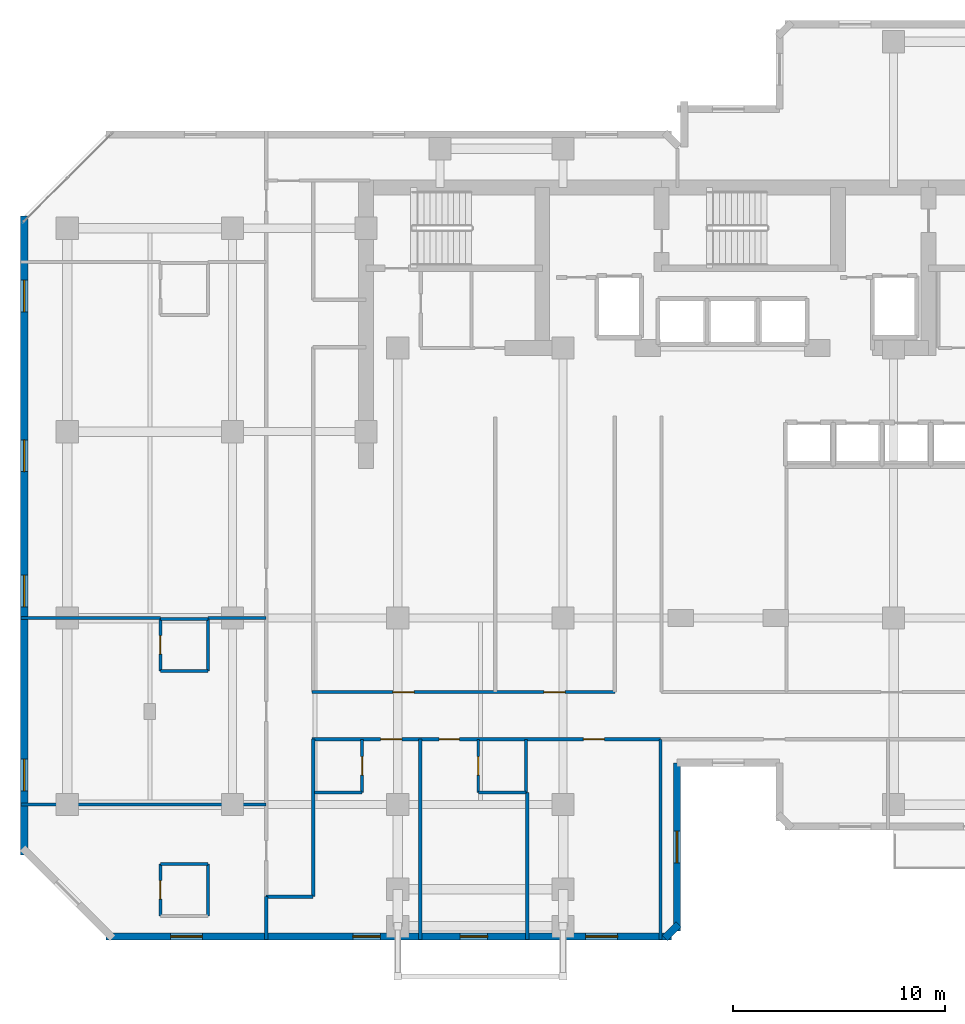
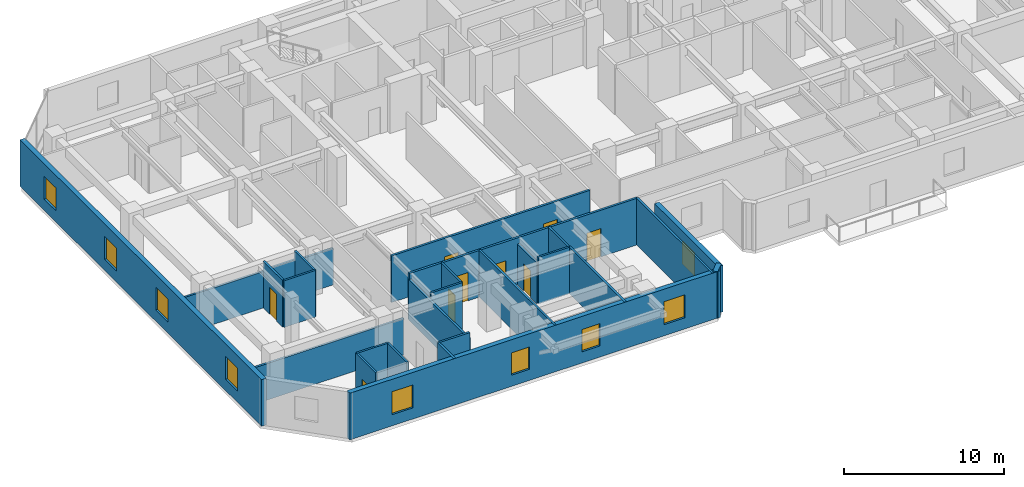
# One storey, part 5 of 11: 27 walls, 9 doors, 9 windows, 18 openings.
"""IFC4 building model written with IfcOpenShell, lengths in metres."""

from ifc_helpers import new_model, si_unit, direction, frame, frame_2d, origin, place, context, subcontext, project, spatial, rectangle, extrude, material, layer, layer_set, type_object, element, fill, save


model = new_model("IFC4")

# Units and contexts
model_context = context("Model", 3, precision=1e-05, world=origin(), true_north=direction((0.0, 1.0)))
body_context = subcontext(model_context, "Body", "Model", "MODEL_VIEW")
ifc_project = project(units=[si_unit("LENGTHUNIT", "METRE"), si_unit("AREAUNIT", "SQUARE_METRE"), si_unit("VOLUMEUNIT", "CUBIC_METRE"), si_unit("PLANEANGLEUNIT", "RADIAN"), si_unit("MASSUNIT", "GRAM", prefix="KILO")], contexts=[model_context])

# Site, building, storey
site_placement = place(None, origin())
site = spatial("IfcSite", under=ifc_project, at=site_placement, CompositionType="ELEMENT")
building_placement = place(site_placement, origin())
building = spatial("IfcBuilding", under=site, at=building_placement, Name="Kestravale Grand Hotel", CompositionType="ELEMENT")
storey_placement = place(building_placement, frame((0.0, 0.0, 161.199951171875)))
storey = spatial("IfcBuildingStorey", under=building, at=storey_placement, Name="L40", CompositionType="ELEMENT", Elevation=161.199951171875)

# Wall, openings, windows
ifc_material_1 = material(Name="Precast concrete f'c 45 MPa", Category="concrete")
ifc_layer_1 = layer(ifc_material_1, 0.340087890625)
ifc_layer_set_1 = layer_set([ifc_layer_1], Name="EW-PREC-340")
wall_type_1 = type_object("IfcWallType", Name="EW-PREC-340", PredefinedType="SOLIDWALL", material=ifc_layer_set_1)
wall_1_placement = place(storey_placement, frame((9.6298828125, 4.969970703125, 0.0), z_axis=(0.0, 0.0, 1.0), x_axis=(1.0, 0.0, 0.0)))
wall_1 = element("IfcWall", 1, at=wall_1_placement, inside=storey, type_object=wall_type_1, Name="L40 fluted precast facade wall 1", PredefinedType="SOLIDWALL", context=body_context, shape_type="SweptSolid", body=[
    extrude(rectangle(XDim=26.690185546875, YDim=0.340087890625, at=frame_2d((13.34521484375, 0.0))), origin(), (0.0, 0.0, 1.0), 3.550048828125),
])
opening_1_placement = place(wall_1_placement, frame((3.04833984375, 0.0, 0.85009765625)))
opening_1 = element("IfcOpeningElement", 2, at=opening_1_placement, cuts=wall_1, Name="Opening W-GUEST-1500", PredefinedType="OPENING", context=body_context, shape_type="SweptSolid", body=[
    extrude(rectangle(XDim=1.5, YDim=1.75, at=frame_2d((0.75, 0.875))), frame((0.0, 0.179931640625, 0.0), z_axis=(0.0, -1.0, 0.0), x_axis=(1.0, 0.0, 0.0)), (0.0, 0.0, 1.0), 0.360107421875),
])
opening_2_placement = place(wall_1_placement, frame((22.6416015625, 0.0, 0.85009765625)))
opening_2 = element("IfcOpeningElement", 3, at=opening_2_placement, cuts=wall_1, Name="Opening W-GUEST-1500", PredefinedType="OPENING", context=body_context, shape_type="SweptSolid", body=[
    extrude(rectangle(XDim=1.5, YDim=1.75, at=frame_2d((0.75, 0.875))), frame((0.0, 0.179931640625, 0.0), z_axis=(0.0, -1.0, 0.0), x_axis=(1.0, 0.0, 0.0)), (0.0, 0.0, 1.0), 0.360107421875),
])
opening_3_placement = place(wall_1_placement, frame((11.655029296875, 0.0, 0.85009765625)))
opening_3 = element("IfcOpeningElement", 4, at=opening_3_placement, cuts=wall_1, Name="Opening W-GUEST-1300", PredefinedType="OPENING", context=body_context, shape_type="SweptSolid", body=[
    extrude(rectangle(XDim=1.300048828125, YDim=1.699951171875, at=frame_2d((0.64990234375, 0.85009765625))), frame((0.0, 0.179931640625, 0.0), z_axis=(0.0, -1.0, 0.0), x_axis=(1.0, 0.0, 0.0)), (0.0, 0.0, 1.0), 0.360107421875),
])
opening_4_placement = place(wall_1_placement, frame((16.715087890625, 0.0, 0.85009765625)))
opening_4 = element("IfcOpeningElement", 5, at=opening_4_placement, cuts=wall_1, Name="Opening W-GUEST-1300", PredefinedType="OPENING", context=body_context, shape_type="SweptSolid", body=[
    extrude(rectangle(XDim=1.300048828125, YDim=1.699951171875, at=frame_2d((0.64990234375, 0.85009765625))), frame((0.0, 0.179931640625, 0.0), z_axis=(0.0, -1.0, 0.0), x_axis=(1.0, 0.0, 0.0)), (0.0, 0.0, 1.0), 0.360107421875),
])
ifc_material_2 = material(Name="Insulated low-E double glazing in aluminium frame", Category="aluminium")
window_type_1 = type_object("IfcWindowType", Name="W-GUEST-1300", PartitioningType="SINGLE_PANEL", PredefinedType="WINDOW", material=ifc_material_2)
window_1_placement = place(opening_3_placement, origin())
window_1 = element("IfcWindow", 6, at=window_1_placement, inside=storey, type_object=window_type_1, Name="L40 guestroom envelope window 1", OverallHeight=1.699951171875, OverallWidth=1.300048828125, PartitioningType="SINGLE_PANEL", PredefinedType="WINDOW", context=body_context, shape_type="SweptSolid", body=[
    extrude(rectangle(XDim=1.300048828125, YDim=1.699951171875, at=frame_2d((0.64990234375, 0.85009765625))), frame((0.0, 0.030029296875, 0.0), z_axis=(0.0, -1.0, 0.0), x_axis=(1.0, 0.0, 0.0)), (0.0, 0.0, 1.0), 0.06005859375),
])
fill(opening_3, window_1)
window_2_placement = place(opening_4_placement, origin())
window_2 = element("IfcWindow", 7, at=window_2_placement, inside=storey, type_object=window_type_1, Name="L40 guestroom envelope window 2", OverallHeight=1.699951171875, OverallWidth=1.300048828125, PartitioningType="SINGLE_PANEL", PredefinedType="WINDOW", context=body_context, shape_type="SweptSolid", body=[
    extrude(rectangle(XDim=1.300048828125, YDim=1.699951171875, at=frame_2d((0.64990234375, 0.85009765625))), frame((0.0, 0.030029296875, 0.0), z_axis=(0.0, -1.0, 0.0), x_axis=(1.0, 0.0, 0.0)), (0.0, 0.0, 1.0), 0.06005859375),
])
fill(opening_4, window_2)
ifc_material_3 = material(Name="Insulated low-E double glazing in aluminium frame", Category="aluminium")
window_type_2 = type_object("IfcWindowType", Name="W-GUEST-1500", PartitioningType="SINGLE_PANEL", PredefinedType="WINDOW", material=ifc_material_3)
window_3_placement = place(opening_1_placement, origin())
window_3 = element("IfcWindow", 8, at=window_3_placement, inside=storey, type_object=window_type_2, Name="L40 exterior window 1.1", OverallHeight=1.75, OverallWidth=1.5, PartitioningType="SINGLE_PANEL", PredefinedType="WINDOW", context=body_context, shape_type="SweptSolid", body=[
    extrude(rectangle(XDim=1.5, YDim=1.75, at=frame_2d((0.75, 0.875))), frame((0.0, 0.030029296875, 0.0), z_axis=(0.0, -1.0, 0.0), x_axis=(1.0, 0.0, 0.0)), (0.0, 0.0, 1.0), 0.06005859375),
])
fill(opening_1, window_3)
window_4_placement = place(opening_2_placement, origin())
window_4 = element("IfcWindow", 9, at=window_4_placement, inside=storey, type_object=window_type_2, Name="L40 exterior window 1.2", OverallHeight=1.75, OverallWidth=1.5, PartitioningType="SINGLE_PANEL", PredefinedType="WINDOW", context=body_context, shape_type="SweptSolid", body=[
    extrude(rectangle(XDim=1.5, YDim=1.75, at=frame_2d((0.75, 0.875))), frame((0.0, 0.030029296875, 0.0), z_axis=(0.0, -1.0, 0.0), x_axis=(1.0, 0.0, 0.0)), (0.0, 0.0, 1.0), 0.06005859375),
])
fill(opening_2, window_4)

# Wall
wall_2_placement = place(storey_placement, frame((36.00146484375, 4.891845703125, 0.0), z_axis=(0.0, 0.0, 1.0), x_axis=(0.707106781187, 0.707106781187, 0.0)))
element("IfcWall", 10, at=wall_2_placement, inside=storey, type_object=wall_type_1, Name="L40 fluted precast facade wall 2", PredefinedType="SOLIDWALL", context=body_context, shape_type="SweptSolid", body=[
    extrude(rectangle(XDim=0.9287109375, YDim=0.340087890625, at=frame_2d((0.46435546875, 0.0))), origin(), (0.0, 0.0, 1.0), 3.550048828125),
])

# Wall, opening, window
wall_3_placement = place(storey_placement, frame((36.580078125, 5.22998046875, 0.0), z_axis=(0.0, 0.0, 1.0), x_axis=(0.0, 1.0, 0.0)))
wall_3 = element("IfcWall", 11, at=wall_3_placement, inside=storey, type_object=wall_type_1, Name="L40 fluted precast facade wall 3", PredefinedType="SOLIDWALL", context=body_context, shape_type="SweptSolid", body=[
    extrude(rectangle(XDim=7.93994140625, YDim=0.340087890625, at=frame_2d((3.969970703125, 0.0))), origin(), (0.0, 0.0, 1.0), 3.550048828125),
])
opening_5_placement = place(wall_3_placement, frame((3.219970703125, 0.0, 0.85009765625)))
opening_5 = element("IfcOpeningElement", 12, at=opening_5_placement, cuts=wall_3, Name="Opening W-GUEST-1500", PredefinedType="OPENING", context=body_context, shape_type="SweptSolid", body=[
    extrude(rectangle(XDim=1.5, YDim=1.75, at=frame_2d((0.75, 0.875))), frame((0.0, 0.179931640625, 0.0), z_axis=(0.0, -1.0, 0.0), x_axis=(1.0, 0.0, 0.0)), (0.0, 0.0, 1.0), 0.360107421875),
])
window_5_placement = place(opening_5_placement, origin())
window_5 = element("IfcWindow", 13, at=window_5_placement, inside=storey, type_object=window_type_2, Name="L40 exterior window 3.1", OverallHeight=1.75, OverallWidth=1.5, PartitioningType="SINGLE_PANEL", PredefinedType="WINDOW", context=body_context, shape_type="SweptSolid", body=[
    extrude(rectangle(XDim=1.5, YDim=1.75, at=frame_2d((0.75, 0.875))), frame((0.0, 0.030029296875, 0.0), z_axis=(0.0, -1.0, 0.0), x_axis=(1.0, 0.0, 0.0)), (0.0, 0.0, 1.0), 0.06005859375),
])
fill(opening_5, window_5)

# Wall, openings, windows
wall_4_placement = place(storey_placement, frame((5.77001953125, 38.969970703125, 0.0), z_axis=(0.0, 0.0, 1.0), x_axis=(0.0, -1.0, 0.0)))
wall_4 = element("IfcWall", 14, at=wall_4_placement, inside=storey, type_object=wall_type_1, Name="L40 fluted precast facade wall 19", PredefinedType="SOLIDWALL", context=body_context, shape_type="SweptSolid", body=[
    extrude(rectangle(XDim=30.139892578125, YDim=0.340087890625, at=frame_2d((15.06982421875, 0.0))), origin(), (0.0, 0.0, 1.0), 3.550048828125),
])
opening_6_placement = place(wall_4_placement, frame((3.017578125, 0.0, 0.85009765625)))
opening_6 = element("IfcOpeningElement", 15, at=opening_6_placement, cuts=wall_4, Name="Opening W-GUEST-1500", PredefinedType="OPENING", context=body_context, shape_type="SweptSolid", body=[
    extrude(rectangle(XDim=1.5, YDim=1.75, at=frame_2d((0.75, 0.875))), frame((0.0, 0.179931640625, 0.0), z_axis=(0.0, -1.0, 0.0), x_axis=(1.0, 0.0, 0.0)), (0.0, 0.0, 1.0), 0.360107421875),
])
opening_7_placement = place(wall_4_placement, frame((10.552490234375, 0.0, 0.85009765625)))
opening_7 = element("IfcOpeningElement", 16, at=opening_7_placement, cuts=wall_4, Name="Opening W-GUEST-1500", PredefinedType="OPENING", context=body_context, shape_type="SweptSolid", body=[
    extrude(rectangle(XDim=1.5, YDim=1.75, at=frame_2d((0.75, 0.875))), frame((0.0, 0.179931640625, 0.0), z_axis=(0.0, -1.0, 0.0), x_axis=(1.0, 0.0, 0.0)), (0.0, 0.0, 1.0), 0.360107421875),
])
opening_8_placement = place(wall_4_placement, frame((16.9375, 0.0, 0.85009765625)))
opening_8 = element("IfcOpeningElement", 17, at=opening_8_placement, cuts=wall_4, Name="Opening W-GUEST-1500", PredefinedType="OPENING", context=body_context, shape_type="SweptSolid", body=[
    extrude(rectangle(XDim=1.5, YDim=1.75, at=frame_2d((0.75, 0.875))), frame((0.0, 0.179931640625, 0.0), z_axis=(0.0, -1.0, 0.0), x_axis=(1.0, 0.0, 0.0)), (0.0, 0.0, 1.0), 0.360107421875),
])
opening_9_placement = place(wall_4_placement, frame((25.62255859375, 0.0, 0.85009765625)))
opening_9 = element("IfcOpeningElement", 18, at=opening_9_placement, cuts=wall_4, Name="Opening W-GUEST-1500", PredefinedType="OPENING", context=body_context, shape_type="SweptSolid", body=[
    extrude(rectangle(XDim=1.5, YDim=1.75, at=frame_2d((0.75, 0.875))), frame((0.0, 0.179931640625, 0.0), z_axis=(0.0, -1.0, 0.0), x_axis=(1.0, 0.0, 0.0)), (0.0, 0.0, 1.0), 0.360107421875),
])
window_6_placement = place(opening_6_placement, origin())
window_6 = element("IfcWindow", 19, at=window_6_placement, inside=storey, type_object=window_type_2, Name="L40 exterior window 19.1", OverallHeight=1.75, OverallWidth=1.5, PartitioningType="SINGLE_PANEL", PredefinedType="WINDOW", context=body_context, shape_type="SweptSolid", body=[
    extrude(rectangle(XDim=1.5, YDim=1.75, at=frame_2d((0.75, 0.875))), frame((0.0, 0.030029296875, 0.0), z_axis=(0.0, -1.0, 0.0), x_axis=(1.0, 0.0, 0.0)), (0.0, 0.0, 1.0), 0.06005859375),
])
fill(opening_6, window_6)
window_7_placement = place(opening_7_placement, origin())
window_7 = element("IfcWindow", 20, at=window_7_placement, inside=storey, type_object=window_type_2, Name="L40 exterior window 19.2", OverallHeight=1.75, OverallWidth=1.5, PartitioningType="SINGLE_PANEL", PredefinedType="WINDOW", context=body_context, shape_type="SweptSolid", body=[
    extrude(rectangle(XDim=1.5, YDim=1.75, at=frame_2d((0.75, 0.875))), frame((0.0, 0.030029296875, 0.0), z_axis=(0.0, -1.0, 0.0), x_axis=(1.0, 0.0, 0.0)), (0.0, 0.0, 1.0), 0.06005859375),
])
fill(opening_7, window_7)
window_8_placement = place(opening_8_placement, origin())
window_8 = element("IfcWindow", 21, at=window_8_placement, inside=storey, type_object=window_type_2, Name="L40 exterior window 19.3", OverallHeight=1.75, OverallWidth=1.5, PartitioningType="SINGLE_PANEL", PredefinedType="WINDOW", context=body_context, shape_type="SweptSolid", body=[
    extrude(rectangle(XDim=1.5, YDim=1.75, at=frame_2d((0.75, 0.875))), frame((0.0, 0.030029296875, 0.0), z_axis=(0.0, -1.0, 0.0), x_axis=(1.0, 0.0, 0.0)), (0.0, 0.0, 1.0), 0.06005859375),
])
fill(opening_8, window_8)
window_9_placement = place(opening_9_placement, origin())
window_9 = element("IfcWindow", 22, at=window_9_placement, inside=storey, type_object=window_type_2, Name="L40 exterior window 19.4", OverallHeight=1.75, OverallWidth=1.5, PartitioningType="SINGLE_PANEL", PredefinedType="WINDOW", context=body_context, shape_type="SweptSolid", body=[
    extrude(rectangle(XDim=1.5, YDim=1.75, at=frame_2d((0.75, 0.875))), frame((0.0, 0.030029296875, 0.0), z_axis=(0.0, -1.0, 0.0), x_axis=(1.0, 0.0, 0.0)), (0.0, 0.0, 1.0), 0.06005859375),
])
fill(opening_9, window_9)

# Wall, openings, doors
ifc_material_4 = material(Name="Acoustic fire-rated gypsum board partition", Category="other")
ifc_layer_2 = layer(ifc_material_4, 0.159912109375)
ifc_layer_set_2 = layer_set([ifc_layer_2], Name="IW-CORR-160")
wall_type_2 = type_object("IfcWallType", Name="IW-CORR-160", PredefinedType="PARTITIONING", material=ifc_layer_set_2)
wall_5_placement = place(storey_placement, frame((19.35009765625, 16.510009765625, 0.0), z_axis=(0.0, 0.0, 1.0), x_axis=(1.0, 0.0, 0.0)))
wall_5 = element("IfcWall", 23, at=wall_5_placement, inside=storey, type_object=wall_type_2, Name="W-L40-CW-N", PredefinedType="PARTITIONING", context=body_context, shape_type="SweptSolid", body=[
    extrude(rectangle(XDim=14.2998046875, YDim=0.159912109375, at=frame_2d((7.14990234375, 0.0))), origin(), (0.0, 0.0, 1.0), 3.550048828125),
])
opening_10_placement = place(wall_5_placement, frame((3.824951171875, 0.0, 0.0)))
opening_10 = element("IfcOpeningElement", 24, at=opening_10_placement, cuts=wall_5, Name="Opening D-GUEST-1000", PredefinedType="OPENING", context=body_context, shape_type="SweptSolid", body=[
    extrude(rectangle(XDim=1.0, YDim=2.14990234375, at=frame_2d((0.5, 1.074951171875))), frame((0.0, 0.08984375, 0.0), z_axis=(0.0, -1.0, 0.0), x_axis=(1.0, 0.0, 0.0)), (0.0, 0.0, 1.0), 0.179931640625),
])
opening_11_placement = place(wall_5_placement, frame((10.949951171875, 0.0, 0.0)))
opening_11 = element("IfcOpeningElement", 25, at=opening_11_placement, cuts=wall_5, Name="Opening D-GUEST-1000", PredefinedType="OPENING", context=body_context, shape_type="SweptSolid", body=[
    extrude(rectangle(XDim=1.0, YDim=2.14990234375, at=frame_2d((0.5, 1.074951171875))), frame((0.0, 0.08984375, 0.0), z_axis=(0.0, -1.0, 0.0), x_axis=(1.0, 0.0, 0.0)), (0.0, 0.0, 1.0), 0.179931640625),
])
ifc_material_5 = material(Name="Accessible walnut veneer hotel entrance fire door", Category="wood")
door_type_1 = type_object("IfcDoorType", Name="D-GUEST-1000", OperationType="NOTDEFINED", PredefinedType="DOOR", material=ifc_material_5)
door_1_placement = place(opening_10_placement, origin())
door_1 = element("IfcDoor", 26, at=door_1_placement, inside=storey, type_object=door_type_1, Name="D-L40-RECL-W1", OperationType="SINGLE_SWING_LEFT", OverallHeight=2.14990234375, OverallWidth=1.0, PredefinedType="DOOR", context=body_context, shape_type="SweptSolid", body=[
    extrude(rectangle(XDim=1.0, YDim=2.14990234375, at=frame_2d((0.5, 1.074951171875))), frame((0.0, 0.02490234375, 0.0), z_axis=(0.0, -1.0, 0.0), x_axis=(1.0, 0.0, 0.0)), (0.0, 0.0, 1.0), 0.050048828125),
])
fill(opening_10, door_1)
door_2_placement = place(opening_11_placement, origin())
door_2 = element("IfcDoor", 27, at=door_2_placement, inside=storey, type_object=door_type_1, Name="D-L40-RECL-W2", OperationType="SINGLE_SWING_RIGHT", OverallHeight=2.14990234375, OverallWidth=1.0, PredefinedType="DOOR", context=body_context, shape_type="SweptSolid", body=[
    extrude(rectangle(XDim=1.0, YDim=2.14990234375, at=frame_2d((0.5, 1.074951171875))), frame((0.0, 0.02490234375, 0.0), z_axis=(0.0, -1.0, 0.0), x_axis=(1.0, 0.0, 0.0)), (0.0, 0.0, 1.0), 0.050048828125),
])
fill(opening_11, door_2)

wall_6_placement = place(storey_placement, frame((19.35009765625, 14.2900390625, 0.0), z_axis=(0.0, 0.0, 1.0), x_axis=(1.0, 0.0, 0.0)))
wall_6 = element("IfcWall", 28, at=wall_6_placement, inside=storey, type_object=wall_type_2, Name="W-L40-CW-S", PredefinedType="PARTITIONING", context=body_context, shape_type="SweptSolid", body=[
    extrude(rectangle(XDim=16.449951171875, YDim=0.159912109375, at=frame_2d((8.22509765625, 0.0))), origin(), (0.0, 0.0, 1.0), 3.550048828125),
])
opening_12_placement = place(wall_6_placement, frame((3.239990234375, 0.0, 0.0)))
opening_12 = element("IfcOpeningElement", 29, at=opening_12_placement, cuts=wall_6, Name="Opening D-GUEST-1000", PredefinedType="OPENING", context=body_context, shape_type="SweptSolid", body=[
    extrude(rectangle(XDim=1.0, YDim=2.14990234375, at=frame_2d((0.5, 1.074951171875))), frame((0.0, 0.08984375, 0.0), z_axis=(0.0, -1.0, 0.0), x_axis=(1.0, 0.0, 0.0)), (0.0, 0.0, 1.0), 0.179931640625),
])
opening_13_placement = place(wall_6_placement, frame((6.0048828125, 0.0, 0.0)))
opening_13 = element("IfcOpeningElement", 30, at=opening_13_placement, cuts=wall_6, Name="Opening D-GUEST-950", PredefinedType="OPENING", context=body_context, shape_type="SweptSolid", body=[
    extrude(rectangle(XDim=0.949951171875, YDim=2.10009765625, at=frame_2d((0.47509765625, 1.050048828125))), frame((0.0, 0.08984375, 0.0), z_axis=(0.0, -1.0, 0.0), x_axis=(1.0, 0.0, 0.0)), (0.0, 0.0, 1.0), 0.179931640625),
])
opening_14_placement = place(wall_6_placement, frame((12.804931640625, 0.0, 0.0)))
opening_14 = element("IfcOpeningElement", 31, at=opening_14_placement, cuts=wall_6, Name="Opening D-GUEST-1000", PredefinedType="OPENING", context=body_context, shape_type="SweptSolid", body=[
    extrude(rectangle(XDim=1.0, YDim=2.14990234375, at=frame_2d((0.5, 1.074951171875))), frame((0.0, 0.08984375, 0.0), z_axis=(0.0, -1.0, 0.0), x_axis=(1.0, 0.0, 0.0)), (0.0, 0.0, 1.0), 0.179931640625),
])
door_3_placement = place(opening_12_placement, origin())
door_3 = element("IfcDoor", 32, at=door_3_placement, inside=storey, type_object=door_type_1, Name="D-L40-U01-ENT", OperationType="SINGLE_SWING_RIGHT", OverallHeight=2.14990234375, OverallWidth=1.0, PredefinedType="DOOR", context=body_context, shape_type="SweptSolid", body=[
    extrude(rectangle(XDim=1.0, YDim=2.14990234375, at=frame_2d((0.5, 1.074951171875))), frame((0.0, 0.02490234375, 0.0), z_axis=(0.0, -1.0, 0.0), x_axis=(1.0, 0.0, 0.0)), (0.0, 0.0, 1.0), 0.050048828125),
])
fill(opening_12, door_3)
door_4_placement = place(opening_14_placement, origin())
door_4 = element("IfcDoor", 33, at=door_4_placement, inside=storey, type_object=door_type_1, Name="D-L40-AMW", OperationType="SINGLE_SWING_LEFT", OverallHeight=2.14990234375, OverallWidth=1.0, PredefinedType="DOOR", context=body_context, shape_type="SweptSolid", body=[
    extrude(rectangle(XDim=1.0, YDim=2.14990234375, at=frame_2d((0.5, 1.074951171875))), frame((0.0, 0.02490234375, 0.0), z_axis=(0.0, -1.0, 0.0), x_axis=(1.0, 0.0, 0.0)), (0.0, 0.0, 1.0), 0.050048828125),
])
fill(opening_14, door_4)
ifc_material_6 = material(Name="Walnut veneer hotel guestroom entrance fire door", Category="wood")
door_type_2 = type_object("IfcDoorType", Name="D-GUEST-950", OperationType="NOTDEFINED", PredefinedType="DOOR", material=ifc_material_6)
door_5_placement = place(opening_13_placement, origin())
door_5 = element("IfcDoor", 34, at=door_5_placement, inside=storey, type_object=door_type_2, Name="D-L40-U02-ENT", OperationType="SINGLE_SWING_RIGHT", OverallHeight=2.10009765625, OverallWidth=0.949951171875, PredefinedType="DOOR", context=body_context, shape_type="SweptSolid", body=[
    extrude(rectangle(XDim=0.949951171875, YDim=2.10009765625, at=frame_2d((0.47509765625, 1.050048828125))), frame((0.0, 0.02490234375, 0.0), z_axis=(0.0, -1.0, 0.0), x_axis=(1.0, 0.0, 0.0)), (0.0, 0.0, 1.0), 0.050048828125),
])
fill(opening_13, door_5)

# Wall
wall_7_placement = place(storey_placement, frame((19.409912109375, 6.85009765625, 0.0), z_axis=(0.0, 0.0, 1.0), x_axis=(0.0, 1.0, 0.0)))
element("IfcWall", 35, at=wall_7_placement, inside=storey, type_object=wall_type_2, Name="W-L40-SW-E", PredefinedType="PARTITIONING", context=body_context, shape_type="SweptSolid", body=[
    extrude(rectangle(XDim=7.43994140625, YDim=0.159912109375, at=frame_2d((3.719970703125, 0.0))), origin(), (0.0, 0.0, 1.0), 3.093017578125),
])

# Wall, opening, door
ifc_material_7 = material(Name="Moisture-resistant tile-backer plumbing chase wall", Category="other")
ifc_layer_3 = layer(ifc_material_7, 0.139892578125)
ifc_layer_set_3 = layer_set([ifc_layer_3], Name="IW-PLB-140")
wall_type_3 = type_object("IfcWallType", Name="IW-PLB-140", PredefinedType="PLUMBINGWALL", material=ifc_layer_set_3)
wall_8_placement = place(storey_placement, frame((21.719970703125, 11.780029296875, 0.0), z_axis=(0.0, 0.0, 1.0), x_axis=(0.0, 1.0, 0.0)))
wall_8 = element("IfcWall", 36, at=wall_8_placement, inside=storey, type_object=wall_type_3, Name="W-L40-U01-BE", PredefinedType="PLUMBINGWALL", context=body_context, shape_type="SweptSolid", body=[
    extrude(rectangle(XDim=2.489990234375, YDim=0.139892578125, at=frame_2d((1.2451171875, 0.0))), origin(), (0.0, 0.0, 1.0), 3.550048828125),
])
opening_15_placement = place(wall_8_placement, frame((0.804931640625, 0.0, 0.0)))
opening_15 = element("IfcOpeningElement", 37, at=opening_15_placement, cuts=wall_8, Name="Opening D-BATH-880", PredefinedType="OPENING", context=body_context, shape_type="SweptSolid", body=[
    extrude(rectangle(XDim=0.8798828125, YDim=2.050048828125, at=frame_2d((0.43994140625, 1.02490234375))), frame((0.0, 0.079833984375, 0.0), z_axis=(0.0, -1.0, 0.0), x_axis=(1.0, 0.0, 0.0)), (0.0, 0.0, 1.0), 0.159912109375),
])
ifc_material_8 = material(Name="Moisture-sealed walnut en-suite bathroom door", Category="wood")
door_type_3 = type_object("IfcDoorType", Name="D-BATH-880", OperationType="NOTDEFINED", PredefinedType="DOOR", material=ifc_material_8)
door_6_placement = place(opening_15_placement, origin())
door_6 = element("IfcDoor", 38, at=door_6_placement, inside=storey, type_object=door_type_3, Name="D-L40-U01-BATH", OperationType="SINGLE_SWING_LEFT", OverallHeight=2.050048828125, OverallWidth=0.8798828125, PredefinedType="DOOR", context=body_context, shape_type="SweptSolid", body=[
    extrude(rectangle(XDim=0.8798828125, YDim=2.050048828125, at=frame_2d((0.43994140625, 1.02490234375))), frame((0.0, 0.02490234375, 0.0), z_axis=(0.0, -1.0, 0.0), x_axis=(1.0, 0.0, 0.0)), (0.0, 0.0, 1.0), 0.050048828125),
])
fill(opening_15, door_6)

# Wall
wall_9_placement = place(storey_placement, frame((19.469970703125, 11.780029296875, 0.0), z_axis=(0.0, 0.0, 1.0), x_axis=(1.0, 0.0, 0.0)))
element("IfcWall", 39, at=wall_9_placement, inside=storey, type_object=wall_type_3, Name="W-L40-U01-BS", PredefinedType="PLUMBINGWALL", context=body_context, shape_type="SweptSolid", body=[
    extrude(rectangle(XDim=2.25, YDim=0.139892578125, at=frame_2d((1.125, 0.0))), origin(), (0.0, 0.0, 1.0), 3.550048828125),
])

# Wall, opening, door
wall_10_placement = place(storey_placement, frame((27.199951171875, 11.780029296875, 0.0), z_axis=(0.0, 0.0, 1.0), x_axis=(0.0, 1.0, 0.0)))
wall_10 = element("IfcWall", 40, at=wall_10_placement, inside=storey, type_object=wall_type_3, Name="W-L40-U02-BW", PredefinedType="PLUMBINGWALL", context=body_context, shape_type="SweptSolid", body=[
    extrude(rectangle(XDim=2.489990234375, YDim=0.139892578125, at=frame_2d((1.2451171875, 0.0))), origin(), (0.0, 0.0, 1.0), 3.093017578125),
])
opening_16_placement = place(wall_10_placement, frame((0.804931640625, 0.0, 0.0)))
opening_16 = element("IfcOpeningElement", 41, at=opening_16_placement, cuts=wall_10, Name="Opening D-BATH-880", PredefinedType="OPENING", context=body_context, shape_type="SweptSolid", body=[
    extrude(rectangle(XDim=0.8798828125, YDim=2.050048828125, at=frame_2d((0.43994140625, 1.02490234375))), frame((0.0, 0.079833984375, 0.0), z_axis=(0.0, -1.0, 0.0), x_axis=(1.0, 0.0, 0.0)), (0.0, 0.0, 1.0), 0.159912109375),
])
door_7_placement = place(opening_16_placement, origin())
door_7 = element("IfcDoor", 42, at=door_7_placement, inside=storey, type_object=door_type_3, Name="D-L40-U02-BATH", OperationType="SINGLE_SWING_LEFT", OverallHeight=2.050048828125, OverallWidth=0.8798828125, PredefinedType="DOOR", context=body_context, shape_type="SweptSolid", body=[
    extrude(rectangle(XDim=0.8798828125, YDim=2.050048828125, at=frame_2d((0.43994140625, 1.02490234375))), frame((0.0, 0.02490234375, 0.0), z_axis=(0.0, -1.0, 0.0), x_axis=(1.0, 0.0, 0.0)), (0.0, 0.0, 1.0), 0.050048828125),
])
fill(opening_16, door_7)

# Walls
wall_11_placement = place(storey_placement, frame((29.449951171875, 11.780029296875, 0.0), z_axis=(0.0, 0.0, 1.0), x_axis=(0.0, 1.0, 0.0)))
element("IfcWall", 43, at=wall_11_placement, inside=storey, type_object=wall_type_3, Name="W-L40-U02-BE", PredefinedType="PLUMBINGWALL", context=body_context, shape_type="SweptSolid", body=[
    extrude(rectangle(XDim=2.489990234375, YDim=0.139892578125, at=frame_2d((1.2451171875, 0.0))), origin(), (0.0, 0.0, 1.0), 3.550048828125),
])
wall_12_placement = place(storey_placement, frame((27.199951171875, 11.780029296875, 0.0), z_axis=(0.0, 0.0, 1.0), x_axis=(1.0, 0.0, 0.0)))
element("IfcWall", 44, at=wall_12_placement, inside=storey, type_object=wall_type_3, Name="W-L40-U02-BS", PredefinedType="PLUMBINGWALL", context=body_context, shape_type="SweptSolid", body=[
    extrude(rectangle(XDim=2.25, YDim=0.139892578125, at=frame_2d((1.125, 0.0))), origin(), (0.0, 0.0, 1.0), 3.550048828125),
])

# Wall, opening, door
wall_13_placement = place(storey_placement, frame((12.199951171875, 5.949951171875, 0.0), z_axis=(0.0, 0.0, 1.0), x_axis=(0.0, 1.0, 0.0)))
wall_13 = element("IfcWall", 45, at=wall_13_placement, inside=storey, type_object=wall_type_3, Name="W-L40-U03-BW", PredefinedType="PLUMBINGWALL", context=body_context, shape_type="SweptSolid", body=[
    extrude(rectangle(XDim=2.449951171875, YDim=0.139892578125, at=frame_2d((1.22509765625, 0.0))), origin(), (0.0, 0.0, 1.0), 3.550048828125),
])
opening_17_placement = place(wall_13_placement, frame((0.784912109375, 0.0, 0.0)))
opening_17 = element("IfcOpeningElement", 46, at=opening_17_placement, cuts=wall_13, Name="Opening D-BATH-880", PredefinedType="OPENING", context=body_context, shape_type="SweptSolid", body=[
    extrude(rectangle(XDim=0.8798828125, YDim=2.050048828125, at=frame_2d((0.43994140625, 1.02490234375))), frame((0.0, 0.079833984375, 0.0), z_axis=(0.0, -1.0, 0.0), x_axis=(1.0, 0.0, 0.0)), (0.0, 0.0, 1.0), 0.159912109375),
])
door_8_placement = place(opening_17_placement, origin())
door_8 = element("IfcDoor", 47, at=door_8_placement, inside=storey, type_object=door_type_3, Name="D-L40-U03-BATH", OperationType="SINGLE_SWING_LEFT", OverallHeight=2.050048828125, OverallWidth=0.8798828125, PredefinedType="DOOR", context=body_context, shape_type="SweptSolid", body=[
    extrude(rectangle(XDim=0.8798828125, YDim=2.050048828125, at=frame_2d((0.43994140625, 1.02490234375))), frame((0.0, 0.02490234375, 0.0), z_axis=(0.0, -1.0, 0.0), x_axis=(1.0, 0.0, 0.0)), (0.0, 0.0, 1.0), 0.050048828125),
])
fill(opening_17, door_8)

# Walls
wall_14_placement = place(storey_placement, frame((14.449951171875, 5.949951171875, 0.0), z_axis=(0.0, 0.0, 1.0), x_axis=(0.0, 1.0, 0.0)))
element("IfcWall", 48, at=wall_14_placement, inside=storey, type_object=wall_type_3, Name="W-L40-U03-BE", PredefinedType="PLUMBINGWALL", context=body_context, shape_type="SweptSolid", body=[
    extrude(rectangle(XDim=2.449951171875, YDim=0.139892578125, at=frame_2d((1.22509765625, 0.0))), origin(), (0.0, 0.0, 1.0), 3.550048828125),
])
wall_15_placement = place(storey_placement, frame((12.199951171875, 8.39990234375, 0.0), z_axis=(0.0, 0.0, 1.0), x_axis=(1.0, 0.0, 0.0)))
element("IfcWall", 49, at=wall_15_placement, inside=storey, type_object=wall_type_3, Name="W-L40-U03-BN", PredefinedType="PLUMBINGWALL", context=body_context, shape_type="SweptSolid", body=[
    extrude(rectangle(XDim=2.25, YDim=0.139892578125, at=frame_2d((1.125, 0.0))), origin(), (0.0, 0.0, 1.0), 3.550048828125),
])

# Wall, opening, door
wall_16_placement = place(storey_placement, frame((12.199951171875, 17.510009765625, 0.0), z_axis=(0.0, 0.0, 1.0), x_axis=(0.0, 1.0, 0.0)))
wall_16 = element("IfcWall", 50, at=wall_16_placement, inside=storey, type_object=wall_type_3, Name="W-L40-U04-BW", PredefinedType="PLUMBINGWALL", context=body_context, shape_type="SweptSolid", body=[
    extrude(rectangle(XDim=2.449951171875, YDim=0.139892578125, at=frame_2d((1.22509765625, 0.0))), origin(), (0.0, 0.0, 1.0), 3.550048828125),
])
opening_18_placement = place(wall_16_placement, frame((0.784912109375, 0.0, 0.0)))
opening_18 = element("IfcOpeningElement", 51, at=opening_18_placement, cuts=wall_16, Name="Opening D-BATH-880", PredefinedType="OPENING", context=body_context, shape_type="SweptSolid", body=[
    extrude(rectangle(XDim=0.8798828125, YDim=2.050048828125, at=frame_2d((0.43994140625, 1.02490234375))), frame((0.0, 0.079833984375, 0.0), z_axis=(0.0, -1.0, 0.0), x_axis=(1.0, 0.0, 0.0)), (0.0, 0.0, 1.0), 0.159912109375),
])
door_9_placement = place(opening_18_placement, origin())
door_9 = element("IfcDoor", 52, at=door_9_placement, inside=storey, type_object=door_type_3, Name="D-L40-U04-BATH", OperationType="SINGLE_SWING_LEFT", OverallHeight=2.050048828125, OverallWidth=0.8798828125, PredefinedType="DOOR", context=body_context, shape_type="SweptSolid", body=[
    extrude(rectangle(XDim=0.8798828125, YDim=2.050048828125, at=frame_2d((0.43994140625, 1.02490234375))), frame((0.0, 0.02490234375, 0.0), z_axis=(0.0, -1.0, 0.0), x_axis=(1.0, 0.0, 0.0)), (0.0, 0.0, 1.0), 0.050048828125),
])
fill(opening_18, door_9)

# Walls
wall_17_placement = place(storey_placement, frame((14.449951171875, 17.510009765625, 0.0), z_axis=(0.0, 0.0, 1.0), x_axis=(0.0, 1.0, 0.0)))
element("IfcWall", 53, at=wall_17_placement, inside=storey, type_object=wall_type_3, Name="W-L40-U04-BE", PredefinedType="PLUMBINGWALL", context=body_context, shape_type="SweptSolid", body=[
    extrude(rectangle(XDim=2.449951171875, YDim=0.139892578125, at=frame_2d((1.22509765625, 0.0))), origin(), (0.0, 0.0, 1.0), 3.550048828125),
])
wall_18_placement = place(storey_placement, frame((12.199951171875, 17.510009765625, 0.0), z_axis=(0.0, 0.0, 1.0), x_axis=(1.0, 0.0, 0.0)))
element("IfcWall", 54, at=wall_18_placement, inside=storey, type_object=wall_type_3, Name="W-L40-U04-BS", PredefinedType="PLUMBINGWALL", context=body_context, shape_type="SweptSolid", body=[
    extrude(rectangle(XDim=2.25, YDim=0.139892578125, at=frame_2d((1.125, 0.0))), origin(), (0.0, 0.0, 1.0), 3.550048828125),
])
wall_19_placement = place(storey_placement, frame((12.199951171875, 19.9599609375, 0.0), z_axis=(0.0, 0.0, 1.0), x_axis=(1.0, 0.0, 0.0)))
element("IfcWall", 55, at=wall_19_placement, inside=storey, type_object=wall_type_3, Name="W-L40-U04-BN", PredefinedType="PLUMBINGWALL", context=body_context, shape_type="SweptSolid", body=[
    extrude(rectangle(XDim=2.25, YDim=0.139892578125, at=frame_2d((1.125, 0.0))), origin(), (0.0, 0.0, 1.0), 2.900146484375),
])
ifc_material_9 = material(Name="Double-stud STC 52 acoustic demising partition", Category="other")
ifc_layer_4 = layer(ifc_material_9, 0.14990234375)
ifc_layer_set_4 = layer_set([ifc_layer_4], Name="IW-UNIT-150")
wall_type_4 = type_object("IfcWallType", Name="IW-UNIT-150", PredefinedType="PARTITIONING", material=ifc_layer_set_4)
wall_20_placement = place(storey_placement, frame((17.18994140625, 6.85009765625, 0.0), z_axis=(0.0, 0.0, 1.0), x_axis=(1.0, 0.0, 0.0)))
element("IfcWall", 56, at=wall_20_placement, inside=storey, type_object=wall_type_4, Name="W-L40-SW-S", PredefinedType="PARTITIONING", context=body_context, shape_type="SweptSolid", body=[
    extrude(rectangle(XDim=2.219970703125, YDim=0.14990234375, at=frame_2d((1.10986328125, 0.0))), origin(), (0.0, 0.0, 1.0), 3.550048828125),
])
wall_21_placement = place(storey_placement, frame((24.4599609375, 4.820068359375, 0.0), z_axis=(0.0, 0.0, 1.0), x_axis=(0.0, 1.0, 0.0)))
element("IfcWall", 57, at=wall_21_placement, inside=storey, type_object=wall_type_4, Name="W-L40-WS-1", PredefinedType="PARTITIONING", context=body_context, shape_type="SweptSolid", body=[
    extrude(rectangle(XDim=9.469970703125, YDim=0.14990234375, at=frame_2d((4.73486328125, 0.0))), origin(), (0.0, 0.0, 1.0), 3.550048828125),
])
wall_22_placement = place(storey_placement, frame((29.510009765625, 4.820068359375, 0.0), z_axis=(0.0, 0.0, 1.0), x_axis=(0.0, 1.0, 0.0)))
element("IfcWall", 58, at=wall_22_placement, inside=storey, type_object=wall_type_4, Name="W-L40-WS-2", PredefinedType="PARTITIONING", context=body_context, shape_type="SweptSolid", body=[
    extrude(rectangle(XDim=6.9599609375, YDim=0.14990234375, at=frame_2d((3.47998046875, 0.0))), origin(), (0.0, 0.0, 1.0), 3.550048828125),
])
wall_23_placement = place(storey_placement, frame((35.800048828125, 4.820068359375, 0.0), z_axis=(0.0, 0.0, 1.0), x_axis=(0.0, 1.0, 0.0)))
element("IfcWall", 59, at=wall_23_placement, inside=storey, type_object=wall_type_4, Name="W-L40-MID-S", PredefinedType="PARTITIONING", context=body_context, shape_type="SweptSolid", body=[
    extrude(rectangle(XDim=9.449951171875, YDim=0.14990234375, at=frame_2d((4.72509765625, 0.0))), origin(), (0.0, 0.0, 1.0), 3.550048828125),
])
wall_24_placement = place(storey_placement, frame((17.18994140625, 4.820068359375, 0.0), z_axis=(0.0, 0.0, 1.0), x_axis=(0.0, 1.0, 0.0)))
element("IfcWall", 60, at=wall_24_placement, inside=storey, type_object=wall_type_4, Name="W-L40-SW-EXT", PredefinedType="PARTITIONING", context=body_context, shape_type="SweptSolid", body=[
    extrude(rectangle(XDim=2.030029296875, YDim=0.14990234375, at=frame_2d((1.01513671875, 0.0))), origin(), (0.0, 0.0, 1.0), 3.550048828125),
])
wall_25_placement = place(storey_placement, frame((5.6201171875, 11.199951171875, 0.0), z_axis=(0.0, 0.0, 1.0), x_axis=(1.0, 0.0, 0.0)))
element("IfcWall", 61, at=wall_25_placement, inside=storey, type_object=wall_type_4, Name="W-L40-WW-1", PredefinedType="PARTITIONING", context=body_context, shape_type="SweptSolid", body=[
    extrude(rectangle(XDim=11.56982421875, YDim=0.14990234375, at=frame_2d((5.784912109375, 0.0))), origin(), (0.0, 0.0, 1.0), 2.778076171875),
])
wall_26_placement = place(storey_placement, frame((5.6201171875, 20.0, 0.0), z_axis=(0.0, 0.0, 1.0), x_axis=(1.0, 0.0, 0.0)))
element("IfcWall", 62, at=wall_26_placement, inside=storey, type_object=wall_type_4, Name="W-L40-WW-2", PredefinedType="PARTITIONING", context=body_context, shape_type="SweptSolid", body=[
    extrude(rectangle(XDim=6.579833984375, YDim=0.14990234375, at=frame_2d((3.2900390625, 0.0))), origin(), (0.0, 0.0, 1.0), 2.778076171875),
])
wall_27_placement = place(storey_placement, frame((14.449951171875, 20.0, 0.0), z_axis=(0.0, 0.0, 1.0), x_axis=(1.0, 0.0, 0.0)))
element("IfcWall", 63, at=wall_27_placement, inside=storey, type_object=wall_type_4, Name="W-L40-WW-2", PredefinedType="PARTITIONING", context=body_context, shape_type="SweptSolid", body=[
    extrude(rectangle(XDim=2.739990234375, YDim=0.14990234375, at=frame_2d((1.3701171875, 0.0))), origin(), (0.0, 0.0, 1.0), 2.778076171875),
])

save(model, "model.ifc")
